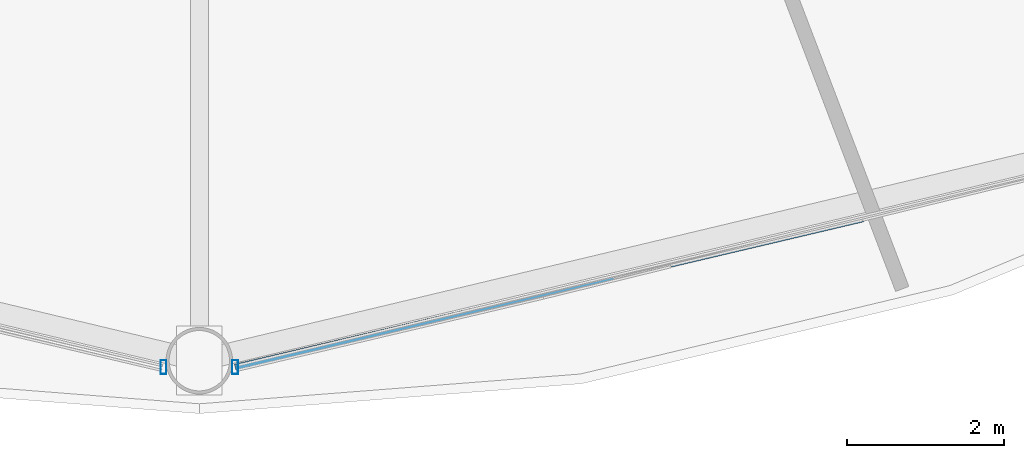
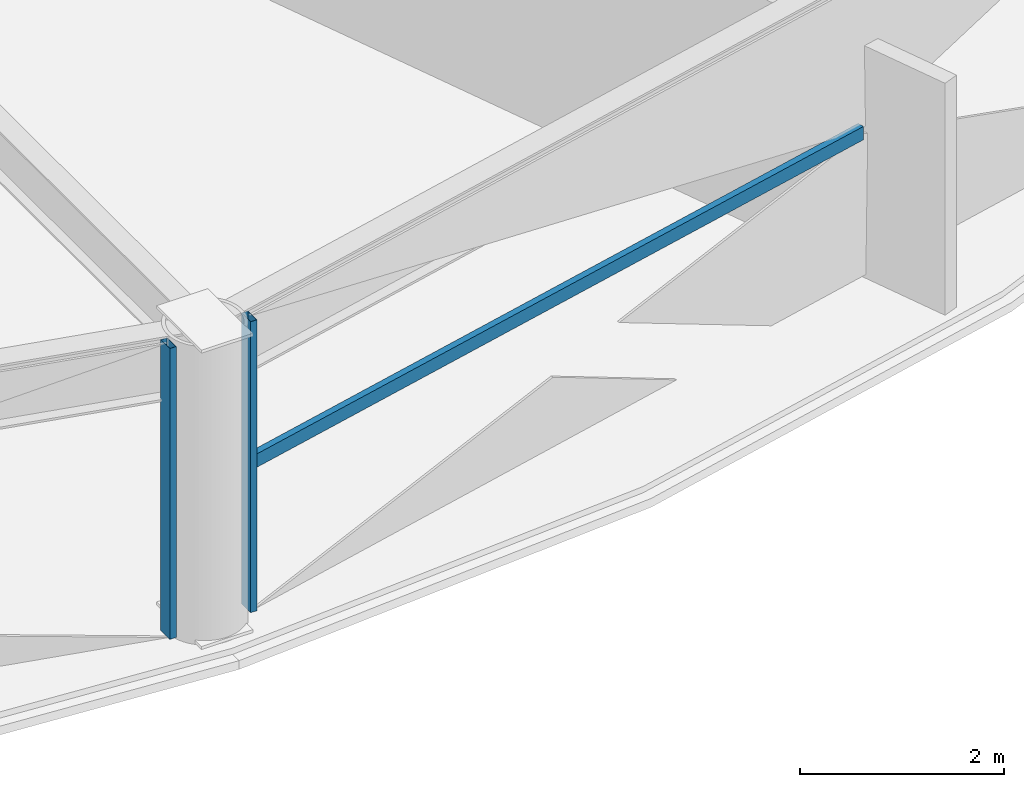
# One storey, part 4 of 29: 3 members, 2 elements without a shape of their own.
"""IFC4 building model written with IfcOpenShell, lengths in metres."""

from ifc_helpers import new_model, si_unit, direction, frame, origin, origin_2d, place, context, subcontext, project, spatial, hollow_rectangle, extrude, material, layer, layer_set, material_profile, profile_set, type_object, element, aggregate, save


model = new_model("IFC4")

# Units and contexts
model_context = context("Model", 3, precision=1e-05, world=origin(), true_north=direction((0.0, 1.0)))
body_context = subcontext(model_context, "Body", "Model", "MODEL_VIEW")
ifc_project = project(units=[si_unit("LENGTHUNIT", "METRE"), si_unit("AREAUNIT", "SQUARE_METRE"), si_unit("VOLUMEUNIT", "CUBIC_METRE"), si_unit("PLANEANGLEUNIT", "RADIAN"), si_unit("MASSUNIT", "GRAM", prefix="KILO")], contexts=[model_context])

# Site, building, storey
site_placement = place(None, origin())
site = spatial("IfcSite", under=ifc_project, at=site_placement, CompositionType="ELEMENT")
building_placement = place(site_placement, origin())
building = spatial("IfcBuilding", under=site, at=building_placement, Name="Vantalir Tower", CompositionType="ELEMENT")
storey_placement = place(building_placement, frame((0.0, 0.0, 60.75)))
storey = spatial("IfcBuildingStorey", under=building, at=storey_placement, Name="L14", CompositionType="ELEMENT", Elevation=60.75)

# Curtain wall, member
ifc_material_1 = material(Name="Champagne-silver PVDF aluminium and double-silver Low-E glass", Category="aluminium")
ifc_layer = layer(ifc_material_1, 0.18994140625)
ifc_layer_set = layer_set([ifc_layer], Name="Champagne-silver PVDF aluminium and double-silver Low-E glass")
curtain_wall_type = type_object("IfcCurtainWallType", Name="CW-DIAMOND-Z1", PredefinedType="USERDEFINED", material=ifc_layer_set)
curtain_wall_1_placement = place(storey_placement, origin())
curtain_wall_1 = element("IfcCurtainWall", 1, at=curtain_wall_1_placement, inside=storey, type_object=curtain_wall_type, Name="L14 Quilted Pyramid-Diamond Curtain Wall S09", ObjectType="UNITISED CURTAIN WALL", PredefinedType="USERDEFINED")
ifc_material_2 = material(Name="Champagne-silver PVDF aluminium 6063-T6", Category="aluminium")
ifc_material_profile_1 = material_profile(ifc_material_2, hollow_rectangle(XDim=0.074951171875, YDim=0.179931640625, WallThickness=0.00390625, at=origin_2d()), Name="Champagne-silver PVDF aluminium 6063-T6")
ifc_profile_set_1 = profile_set([ifc_material_profile_1], Name="Champagne-silver PVDF aluminium 6063-T6")
member_type_1 = type_object("IfcMemberType", Name="CWM-180x75", PredefinedType="MULLION", material=ifc_profile_set_1)
member_1_placement = place(storey_placement, frame((31.04296875, 0.468017578125, 0.044921875), z_axis=(0.0, 0.0, 1.0), x_axis=(1.0, 0.0, 0.0)))
member_1 = element("IfcMember", 2, at=member_1_placement, type_object=member_type_1, Name="CW-L14-S09 Mullion 2", PredefinedType="MULLION", context=body_context, shape_type="SweptSolid", body=[
    extrude(hollow_rectangle(XDim=0.074951171875, YDim=0.179931640625, WallThickness=0.00390625, at=origin_2d()), origin(), (0.0, 0.0, 1.0), 3.47998046875),
])
aggregate(curtain_wall_1, [member_1])

# Curtain wall, members
curtain_wall_2_placement = place(storey_placement, origin())
curtain_wall_2 = element("IfcCurtainWall", 3, at=curtain_wall_2_placement, inside=storey, type_object=curtain_wall_type, Name="L14 Quilted Pyramid-Diamond Curtain Wall S10", ObjectType="UNITISED CURTAIN WALL", PredefinedType="USERDEFINED")
member_2_placement = place(storey_placement, frame((31.95703125, 0.468017578125, 0.044921875), z_axis=(0.0, 0.0, 1.0), x_axis=(1.0, 0.0, 0.0)))
member_2 = element("IfcMember", 4, at=member_2_placement, type_object=member_type_1, Name="CW-L14-S10 Mullion 1", PredefinedType="MULLION", context=body_context, shape_type="SweptSolid", body=[
    extrude(hollow_rectangle(XDim=0.074951171875, YDim=0.179931640625, WallThickness=0.00390625, at=origin_2d()), origin(), (0.0, 0.0, 1.0), 3.47998046875),
])
ifc_material_profile_2 = material_profile(ifc_material_2, hollow_rectangle(XDim=0.074951171875, YDim=0.159912109375, WallThickness=0.00390625, at=origin_2d()), Name="Champagne-silver PVDF aluminium 6063-T6")
ifc_profile_set_2 = profile_set([ifc_material_profile_2], Name="Champagne-silver PVDF aluminium 6063-T6")
member_type_2 = type_object("IfcMemberType", Name="CWT-160x75", PredefinedType="USERDEFINED", material=ifc_profile_set_2)
member_3_placement = place(storey_placement, frame((31.95703125, 0.468017578125, 1.784912109375), z_axis=(0.973309303761, 0.229497274958, 0.0), x_axis=(-0.229497274958, 0.973309303761, 0.0)))
member_3 = element("IfcMember", 5, at=member_3_placement, type_object=member_type_2, Name="CW-L14-S10 Pyramid Fold Ridge Transom", ObjectType="TRANSOM", PredefinedType="USERDEFINED", context=body_context, shape_type="SweptSolid", body=[
    extrude(hollow_rectangle(XDim=0.074951171875, YDim=0.159912109375, WallThickness=0.00390625, at=origin_2d()), origin(), (0.0, 0.0, 1.0), 8.230712890625),
])
aggregate(curtain_wall_2, [member_2, member_3])

save(model, "model.ifc")
